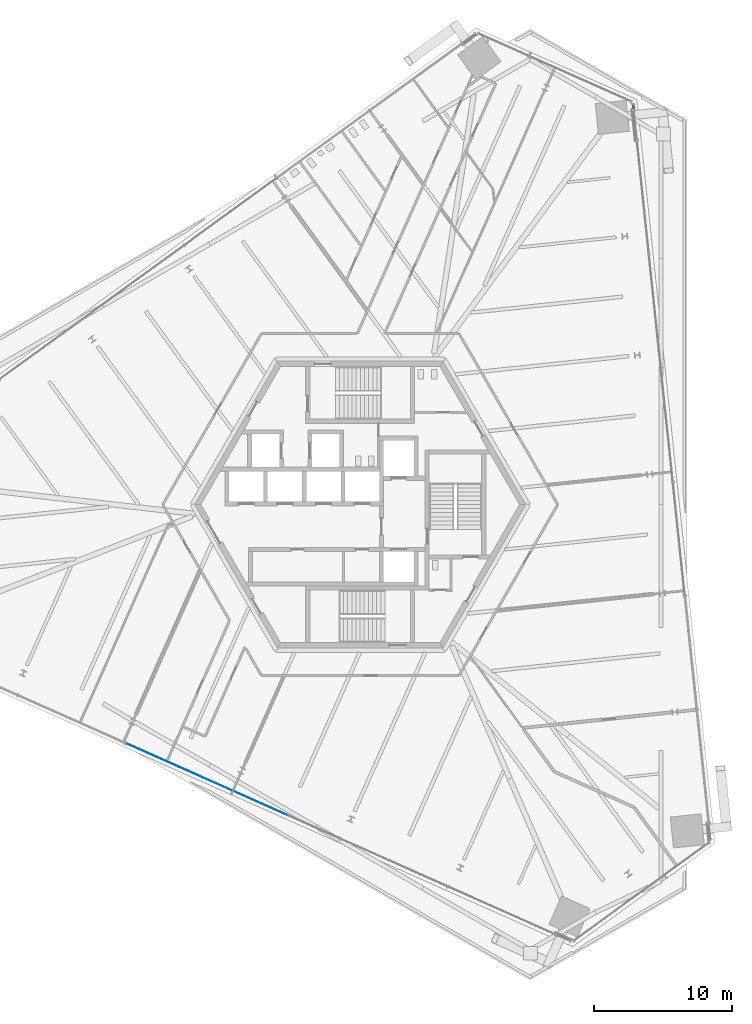
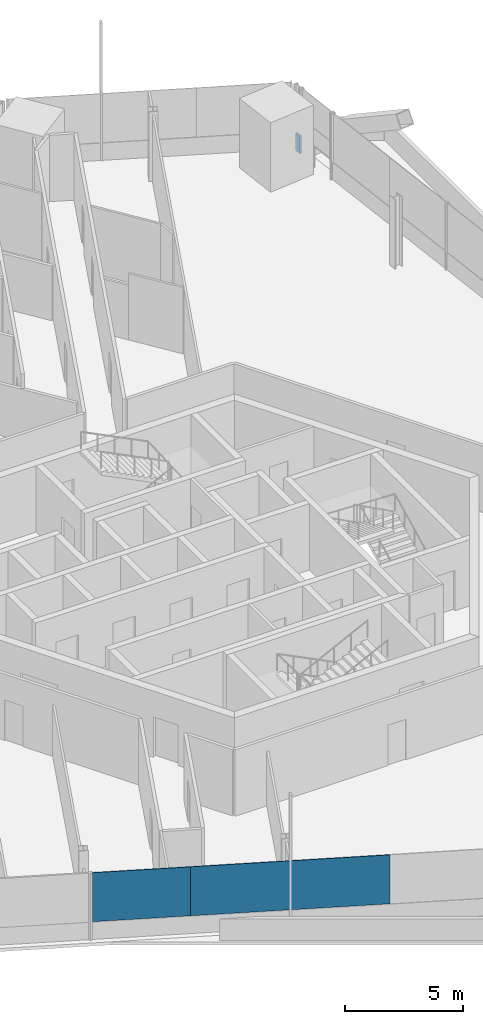
# One storey, part 10 of 24: 3 plates, 1 member, 2 elements without a shape of their own.
"""IFC4 building model written with IfcOpenShell, lengths in metres."""

from ifc_helpers import new_model, si_unit, direction, frame, origin, origin_2d, place, context, subcontext, project, spatial, rectangle, extrude, source, transform, mapped, material, layer, layer_set, material_profile, profile_set, type_object, element, aggregate, save


model = new_model("IFC4")

# Units and contexts
model_context = context("Model", 3, precision=1e-05, world=origin(), true_north=direction((0.0, 1.0)))
body_context = subcontext(model_context, "Body", "Model", "MODEL_VIEW")
ifc_project = project(units=[si_unit("LENGTHUNIT", "METRE"), si_unit("AREAUNIT", "SQUARE_METRE"), si_unit("VOLUMEUNIT", "CUBIC_METRE"), si_unit("PLANEANGLEUNIT", "RADIAN"), si_unit("MASSUNIT", "GRAM", prefix="KILO")], contexts=[model_context])

# Site, building, storey
site_placement = place(None, origin())
site = spatial("IfcSite", under=ifc_project, at=site_placement, CompositionType="ELEMENT")
building_placement = place(site_placement, origin())
building = spatial("IfcBuilding", under=site, at=building_placement, Name="Triune Harvest Tower", CompositionType="ELEMENT")
storey_placement = place(building_placement, frame((0.0, 0.0, 58.5)))
storey = spatial("IfcBuildingStorey", under=building, at=storey_placement, Name="L13", CompositionType="ELEMENT", Elevation=58.5)

# Curtain wall, member
ifc_material_1 = material(Name="Aluminium bronze anodised", Category="aluminium")
curtain_wall_type = type_object("IfcCurtainWallType", Name="CW-1 Tower stick curtain wall", PredefinedType="NOTDEFINED", material=ifc_material_1)
curtain_wall_1_placement = place(storey_placement, origin())
curtain_wall_1 = element("IfcCurtainWall", 1, at=curtain_wall_1_placement, inside=storey, type_object=curtain_wall_type, Name="CW-1 B2-F1 L13 run 301")
ifc_material_2 = material(Name="Aluminium bronze anodised", Category="aluminium")
ifc_material_profile = material_profile(ifc_material_2, rectangle(XDim=0.090087890625, YDim=0.89990234375, at=origin_2d()), Name="TR-1 transom 90 x 900")
ifc_profile_set = profile_set([ifc_material_profile], Name="Aluminium bronze anodised")
member_type = type_object("IfcMemberType", Name="TR-1 transom 90 x 900", PredefinedType="USERDEFINED", material=ifc_profile_set)
member_placement = place(storey_placement, frame((19.80908203125, 28.67431640625, 0.449951171875), z_axis=(-0.105105640723, 0.994461062228, 0.0), x_axis=(-0.994461062228, -0.105105640723, 0.0)))
member = element("IfcMember", 2, at=member_placement, type_object=member_type, Name="CW-1 transom B2-F1 301.1", ObjectType="TRANSOM", PredefinedType="USERDEFINED", context=body_context, shape_type="SweptSolid", body=[
    extrude(rectangle(XDim=0.090087890625, YDim=0.89990234375, at=origin_2d()), origin(), (0.0, 0.0, 1.0), 0.302001953125),
])
aggregate(curtain_wall_1, [member])

# Curtain wall, plates
curtain_wall_2_placement = place(storey_placement, origin())
curtain_wall_2 = element("IfcCurtainWall", 3, at=curtain_wall_2_placement, inside=storey, type_object=curtain_wall_type, Name="CW-1 B2-F5 L13 run 1101")
ifc_material_3 = material(Name="Glass", Category="glass")
ifc_layer = layer(ifc_material_3, 0.031982421875)
ifc_layer_set = layer_set([ifc_layer], Name="Glass")
plate_type = type_object("IfcPlateType", Name="GL-1 panel 32", PredefinedType="CURTAIN_PANEL", material=ifc_layer_set)
shared_shape_1 = source(origin(), body_context, "Body", "SweptSolid", [
    extrude(rectangle(XDim=4.19189453125, YDim=0.031982421875, at=origin_2d()), origin(), (0.0, 0.0, 1.0), 2.5400390625),
])
plate_1_placement = place(storey_placement, frame((-15.044921875, -18.1474609375, 0.89990234375), z_axis=(0.0, 0.0, 1.0), x_axis=(0.913544857771, -0.406737990407, 0.0)))
plate_1 = element("IfcPlate", 4, at=plate_1_placement, type_object=plate_type, Name="CW-1 panel B2-F5 1101.1", PredefinedType="CURTAIN_PANEL", context=body_context, shape_type="MappedRepresentation", body=[
    mapped(shared_shape_1, transform((0.0, 0.0, 0.0), scale=1.0)),
])
shared_shape_2 = source(origin(), body_context, "Body", "SweptSolid", [
    extrude(rectangle(XDim=4.2294921875, YDim=0.031982421875, at=origin_2d()), origin(), (0.0, 0.0, 1.0), 2.5400390625),
])
plate_2_placement = place(storey_placement, frame((-11.1982421875, -19.860107421875, 0.89990234375), z_axis=(0.0, 0.0, 1.0), x_axis=(0.913544857771, -0.406737990407, 0.0)))
plate_2 = element("IfcPlate", 5, at=plate_2_placement, type_object=plate_type, Name="CW-1 panel B2-F5 1101.2", PredefinedType="CURTAIN_PANEL", context=body_context, shape_type="MappedRepresentation", body=[
    mapped(shared_shape_2, transform((0.0, 0.0, 0.0), scale=1.0)),
])
plate_3_placement = place(storey_placement, frame((-7.265869140625, -21.61083984375, 0.89990234375), z_axis=(0.0, 0.0, 1.0), x_axis=(0.913544857771, -0.406737990407, 0.0)))
plate_3 = element("IfcPlate", 6, at=plate_3_placement, type_object=plate_type, Name="CW-1 panel B2-F5 1101.3", PredefinedType="CURTAIN_PANEL", context=body_context, shape_type="MappedRepresentation", body=[
    mapped(shared_shape_2, transform((0.0, 0.0, 0.0), scale=1.0)),
])
aggregate(curtain_wall_2, [plate_1, plate_2, plate_3])

save(model, "model.ifc")
